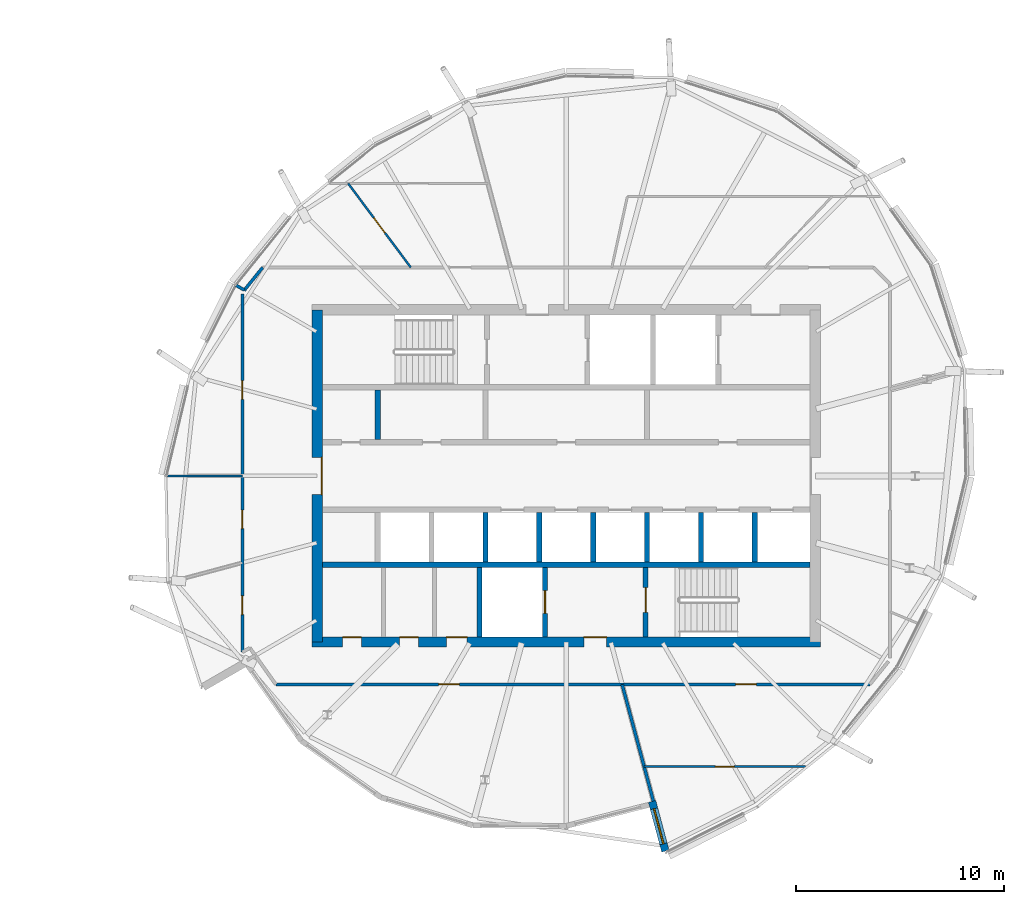
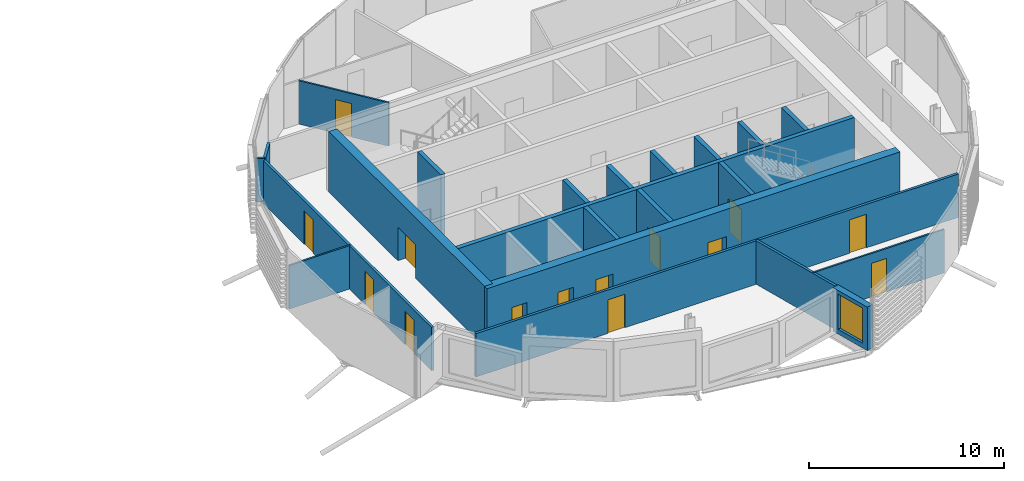
# One storey, part 19 of 33: 22 walls, 14 doors, 1 window, 15 openings.
"""IFC4 building model written with IfcOpenShell, lengths in metres."""

from ifc_helpers import new_model, si_unit, direction, frame, frame_2d, origin, place, context, subcontext, project, spatial, rectangle, extrude, material, layer, layer_set, type_object, element, fill, save


model = new_model("IFC4")

# Units and contexts
model_context = context("Model", 3, precision=1e-05, world=origin(), true_north=direction((0.0, 1.0)))
body_context = subcontext(model_context, "Body", "Model", "MODEL_VIEW")
ifc_project = project(units=[si_unit("LENGTHUNIT", "METRE"), si_unit("AREAUNIT", "SQUARE_METRE"), si_unit("VOLUMEUNIT", "CUBIC_METRE"), si_unit("PLANEANGLEUNIT", "RADIAN"), si_unit("MASSUNIT", "GRAM", prefix="KILO")], contexts=[model_context])

# Site, building, storey
site_placement = place(None, origin())
site = spatial("IfcSite", under=ifc_project, at=site_placement, CompositionType="ELEMENT")
building_placement = place(site_placement, origin())
building = spatial("IfcBuilding", under=site, at=building_placement, Name="Rimbun Link Towers", CompositionType="ELEMENT")
storey_placement = place(building_placement, frame((0.0, 0.0, 237.10009765625)))
storey = spatial("IfcBuildingStorey", under=building, at=storey_placement, Name="L58", CompositionType="ELEMENT", Elevation=237.10009765625)

# Wall, opening, window
ifc_material_1 = material(Name="Dark enamelled glass spandrel on insulated aluminium backpan", Category="aluminium")
ifc_layer_1 = layer(ifc_material_1, 0.3701171875)
ifc_layer_set_1 = layer_set([ifc_layer_1], Name="CS dark enamelled spandrel wall 370")
wall_type_1 = type_object("IfcWallType", Name="CS dark enamelled spandrel wall 370", PredefinedType="STANDARD", material=ifc_layer_set_1)
wall_1_placement = place(storey_placement, frame((36.5263671875, -18.0771484375, 0.0), z_axis=(0.0, 0.0, 1.0), x_axis=(-0.258808255004, 0.965928717423, 0.0)))
wall_1 = element("IfcWall", 1, at=wall_1_placement, inside=storey, type_object=wall_type_1, Name="Crease spandrel wall", PredefinedType="STANDARD", context=body_context, shape_type="SweptSolid", body=[
    extrude(rectangle(XDim=2.47998046875, YDim=0.3701171875, at=frame_2d((1.239990234375, 0.0))), origin(), (0.0, 0.0, 1.0), 2.7314453125),
])
opening_1_placement = place(wall_1_placement, frame((0.364990234375, 0.0, 0.300048828125)))
opening_1 = element("IfcOpeningElement", 2, at=opening_1_placement, cuts=wall_1, Name="Opening WR18H220", PredefinedType="OPENING", context=body_context, shape_type="SweptSolid", body=[
    extrude(rectangle(XDim=1.75, YDim=2.199951171875, at=frame_2d((0.875, 1.10009765625))), frame((0.0, 0.195068359375, 0.0), z_axis=(0.0, -1.0, 0.0), x_axis=(1.0, 0.0, 0.0)), (0.0, 0.0, 1.0), 0.39013671875),
])
ifc_material_2 = material(Name="Aluminium framed fixed window, dark tinted low-e glass", Category="aluminium")
window_type = type_object("IfcWindowType", Name="WR ribbon window 1750X2200", PartitioningType="SINGLE_PANEL", PredefinedType="WINDOW", material=ifc_material_2)
window_placement = place(opening_1_placement, origin())
window = element("IfcWindow", 3, at=window_placement, inside=storey, type_object=window_type, Name="Crease ribbon window", OverallHeight=2.199951171875, OverallWidth=1.75, PartitioningType="SINGLE_PANEL", PredefinedType="WINDOW", context=body_context, shape_type="SweptSolid", body=[
    extrude(rectangle(XDim=1.75, YDim=2.199951171875, at=frame_2d((0.875, 1.10009765625))), frame((0.0, 0.030029296875, 0.0), z_axis=(0.0, -1.0, 0.0), x_axis=(1.0, 0.0, 0.0)), (0.0, 0.0, 1.0), 0.06005859375),
])
fill(opening_1, window)

# Wall, openings, doors
ifc_material_3 = material(Name="Concrete C60/75", Category="concrete")
ifc_layer_2 = layer(ifc_material_3, 0.5)
ifc_layer_set_2 = layer_set([ifc_layer_2], Name="Core shear wall 500")
wall_type_2 = type_object("IfcWallType", Name="Core shear wall 500", PredefinedType="SHEAR", material=ifc_layer_set_2)
wall_2_placement = place(storey_placement, frame((19.5, -8.0, 0.0), z_axis=(0.0, 0.0, 1.0), x_axis=(1.0, 0.0, 0.0)))
wall_2 = element("IfcWall", 4, at=wall_2_placement, inside=storey, type_object=wall_type_2, Name="L58 T2 core wall S", PredefinedType="SHEAR", context=body_context, shape_type="SweptSolid", body=[
    extrude(rectangle(XDim=24.5, YDim=0.5, at=frame_2d((12.25, 0.0))), origin(), (0.0, 0.0, 1.0), 3.7998046875),
])
opening_2_placement = place(wall_2_placement, frame((13.10009765625, 0.0, 0.0)))
opening_2 = element("IfcOpeningElement", 5, at=opening_2_placement, cuts=wall_2, Name="Opening C2DCF01S", PredefinedType="OPENING", context=body_context, shape_type="SweptSolid", body=[
    extrude(rectangle(XDim=1.10009765625, YDim=2.10009765625, at=frame_2d((0.550048828125, 1.050048828125))), frame((0.0, 0.260009765625, 0.0), z_axis=(0.0, -1.0, 0.0), x_axis=(1.0, 0.0, 0.0)), (0.0, 0.0, 1.0), 0.52001953125),
])
opening_3_placement = place(wall_2_placement, frame((1.47509765625, 0.0, 0.0)))
opening_3 = element("IfcOpeningElement", 6, at=opening_3_placement, cuts=wall_2, Name="Opening C2DWC02S", PredefinedType="OPENING", context=body_context, shape_type="SweptSolid", body=[
    extrude(rectangle(XDim=0.89990234375, YDim=2.10009765625, at=frame_2d((0.449951171875, 1.050048828125))), frame((0.0, 0.260009765625, 0.0), z_axis=(0.0, -1.0, 0.0), x_axis=(1.0, 0.0, 0.0)), (0.0, 0.0, 1.0), 0.52001953125),
])
opening_4_placement = place(wall_2_placement, frame((4.22509765625, 0.0, 0.0)))
opening_4 = element("IfcOpeningElement", 7, at=opening_4_placement, cuts=wall_2, Name="Opening C2DWC03S", PredefinedType="OPENING", context=body_context, shape_type="SweptSolid", body=[
    extrude(rectangle(XDim=0.89990234375, YDim=2.10009765625, at=frame_2d((0.449951171875, 1.050048828125))), frame((0.0, 0.260009765625, 0.0), z_axis=(0.0, -1.0, 0.0), x_axis=(1.0, 0.0, 0.0)), (0.0, 0.0, 1.0), 0.52001953125),
])
opening_5_placement = place(wall_2_placement, frame((6.47509765625, 0.0, 0.0)))
opening_5 = element("IfcOpeningElement", 8, at=opening_5_placement, cuts=wall_2, Name="Opening C2DAW04S", PredefinedType="OPENING", context=body_context, shape_type="SweptSolid", body=[
    extrude(rectangle(XDim=1.0, YDim=2.10009765625, at=frame_2d((0.5, 1.050048828125))), frame((0.0, 0.260009765625, 0.0), z_axis=(0.0, -1.0, 0.0), x_axis=(1.0, 0.0, 0.0)), (0.0, 0.0, 1.0), 0.52001953125),
])
ifc_material_4 = material(Name="Timber", Category="wood")
door_type_1 = type_object("IfcDoorType", Name="Accessible WC door", OperationType="SINGLE_SWING_LEFT", PredefinedType="DOOR", material=ifc_material_4)
door_1_placement = place(opening_5_placement, origin())
door_1 = element("IfcDoor", 9, at=door_1_placement, inside=storey, type_object=door_type_1, Name="L58 T2 accessible wc door", OperationType="SINGLE_SWING_RIGHT", OverallHeight=2.10009765625, OverallWidth=1.0, PredefinedType="DOOR", context=body_context, shape_type="SweptSolid", body=[
    extrude(rectangle(XDim=1.0, YDim=2.10009765625, at=frame_2d((0.5, 1.050048828125))), frame((0.0, 0.25, 0.0), z_axis=(0.0, -1.0, 0.0), x_axis=(1.0, 0.0, 0.0)), (0.0, 0.0, 1.0), 0.050048828125),
])
fill(opening_5, door_1)
ifc_material_5 = material(Name="Steel fire door set", Category="steel")
door_type_2 = type_object("IfcDoorType", Name="Core fire door single", OperationType="SINGLE_SWING_LEFT", PredefinedType="DOOR", material=ifc_material_5)
door_2_placement = place(opening_2_placement, origin())
door_2 = element("IfcDoor", 10, at=door_2_placement, inside=storey, type_object=door_type_2, Name="L58 T2 firefighting lobby s door", OperationType="SINGLE_SWING_RIGHT", OverallHeight=2.10009765625, OverallWidth=1.10009765625, PredefinedType="DOOR", context=body_context, shape_type="SweptSolid", body=[
    extrude(rectangle(XDim=1.10009765625, YDim=2.10009765625, at=frame_2d((0.550048828125, 1.050048828125))), frame((0.0, 0.25, 0.0), z_axis=(0.0, -1.0, 0.0), x_axis=(1.0, 0.0, 0.0)), (0.0, 0.0, 1.0), 0.050048828125),
])
fill(opening_2, door_2)
ifc_material_6 = material(Name="Timber", Category="wood")
door_type_3 = type_object("IfcDoorType", Name="WC door", OperationType="SINGLE_SWING_LEFT", PredefinedType="DOOR", material=ifc_material_6)
door_3_placement = place(opening_3_placement, origin())
door_3 = element("IfcDoor", 11, at=door_3_placement, inside=storey, type_object=door_type_3, Name="L58 T2 male wc door", OperationType="SINGLE_SWING_RIGHT", OverallHeight=2.10009765625, OverallWidth=0.89990234375, PredefinedType="DOOR", context=body_context, shape_type="SweptSolid", body=[
    extrude(rectangle(XDim=0.89990234375, YDim=2.10009765625, at=frame_2d((0.449951171875, 1.050048828125))), frame((0.0, 0.25, 0.0), z_axis=(0.0, -1.0, 0.0), x_axis=(1.0, 0.0, 0.0)), (0.0, 0.0, 1.0), 0.050048828125),
])
fill(opening_3, door_3)
door_4_placement = place(opening_4_placement, origin())
door_4 = element("IfcDoor", 12, at=door_4_placement, inside=storey, type_object=door_type_3, Name="L58 T2 female wc door", OperationType="SINGLE_SWING_RIGHT", OverallHeight=2.10009765625, OverallWidth=0.89990234375, PredefinedType="DOOR", context=body_context, shape_type="SweptSolid", body=[
    extrude(rectangle(XDim=0.89990234375, YDim=2.10009765625, at=frame_2d((0.449951171875, 1.050048828125))), frame((0.0, 0.25, 0.0), z_axis=(0.0, -1.0, 0.0), x_axis=(1.0, 0.0, 0.0)), (0.0, 0.0, 1.0), 0.050048828125),
])
fill(opening_4, door_4)

# Wall, opening, door
wall_3_placement = place(storey_placement, frame((19.75, -8.0, 0.0), z_axis=(0.0, 0.0, 1.0), x_axis=(0.0, 1.0, 0.0)))
wall_3 = element("IfcWall", 13, at=wall_3_placement, inside=storey, type_object=wall_type_2, Name="L58 T2 core wall W", PredefinedType="SHEAR", context=body_context, shape_type="SweptSolid", body=[
    extrude(rectangle(XDim=16.0, YDim=0.5, at=frame_2d((8.0, 0.0))), origin(), (0.0, 0.0, 1.0), 3.7998046875),
])
opening_6_placement = place(wall_3_placement, frame((7.10009765625, 0.0, 0.0)))
opening_6 = element("IfcOpeningElement", 14, at=opening_6_placement, cuts=wall_3, Name="Opening C2DCL01W", PredefinedType="OPENING", context=body_context, shape_type="SweptSolid", body=[
    extrude(rectangle(XDim=1.800048828125, YDim=2.10009765625, at=frame_2d((0.89990234375, 1.050048828125))), frame((0.0, 0.260009765625, 0.0), z_axis=(0.0, -1.0, 0.0), x_axis=(1.0, 0.0, 0.0)), (0.0, 0.0, 1.0), 0.52001953125),
])
ifc_material_7 = material(Name="Steel fire door set", Category="steel")
door_type_4 = type_object("IfcDoorType", Name="Core lobby door double", OperationType="DOUBLE_DOOR_SINGLE_SWING", PredefinedType="DOOR", material=ifc_material_7)
door_5_placement = place(opening_6_placement, origin())
door_5 = element("IfcDoor", 15, at=door_5_placement, inside=storey, type_object=door_type_4, Name="L58 T2 lift lobby door", OperationType="DOUBLE_DOOR_SINGLE_SWING", OverallHeight=2.10009765625, OverallWidth=1.800048828125, PredefinedType="DOOR", context=body_context, shape_type="SweptSolid", body=[
    extrude(rectangle(XDim=1.800048828125, YDim=2.10009765625, at=frame_2d((0.89990234375, 1.050048828125))), frame((0.0, -0.2001953125, 0.0), z_axis=(0.0, -1.0, 0.0), x_axis=(1.0, 0.0, 0.0)), (0.0, 0.0, 1.0), 0.050048828125),
])
fill(opening_6, door_5)

# Wall, openings, doors
ifc_material_8 = material(Name="Plasterboard on steel stud, mineral wool", Category="steel")
ifc_layer_3 = layer(ifc_material_8, 0.14990234375)
ifc_layer_set_3 = layer_set([ifc_layer_3], Name="Corridor wall EI 30 150 mm")
wall_type_3 = type_object("IfcWallType", Name="Corridor wall EI 30 150 mm", PredefinedType="PARTITIONING", material=ifc_layer_set_3)
wall_4_placement = place(storey_placement, frame((46.37353515625, -10.044921875, 0.0), z_axis=(0.0, 0.0, 1.0), x_axis=(-1.0, 0.0, 0.0)))
wall_4 = element("IfcWall", 16, at=wall_4_placement, inside=storey, type_object=wall_type_3, Name="Corridor wall EI 30 150 mm", PredefinedType="PARTITIONING", context=body_context, shape_type="SweptSolid", body=[
    extrude(rectangle(XDim=28.615966796875, YDim=0.14990234375, at=frame_2d((14.30810546875, 0.0))), origin(), (0.0, 0.0, 1.0), 2.721923828125),
])
opening_7_placement = place(wall_4_placement, frame((5.466064453125, 0.0, 0.0)))
opening_7 = element("IfcOpeningElement", 17, at=opening_7_placement, cuts=wall_4, Name="Opening D01", PredefinedType="OPENING", context=body_context, shape_type="SweptSolid", body=[
    extrude(rectangle(XDim=1.0, YDim=2.10009765625, at=frame_2d((0.5, 1.050048828125))), frame((0.0, 0.0849609375, 0.0), z_axis=(0.0, -1.0, 0.0), x_axis=(1.0, 0.0, 0.0)), (0.0, 0.0, 1.0), 0.169921875),
])
opening_8_placement = place(wall_4_placement, frame((19.77392578125, 0.0, 0.0)))
opening_8 = element("IfcOpeningElement", 18, at=opening_8_placement, cuts=wall_4, Name="Opening D01", PredefinedType="OPENING", context=body_context, shape_type="SweptSolid", body=[
    extrude(rectangle(XDim=1.0, YDim=2.10009765625, at=frame_2d((0.5, 1.050048828125))), frame((0.0, 0.0849609375, 0.0), z_axis=(0.0, -1.0, 0.0), x_axis=(1.0, 0.0, 0.0)), (0.0, 0.0, 1.0), 0.169921875),
])
ifc_material_9 = material(Name="Fire-resisting timber door leaf", Category="wood")
door_type_5 = type_object("IfcDoorType", Name="Fire door FD30S 1000", OperationType="NOTDEFINED", PredefinedType="DOOR", material=ifc_material_9)
door_6_placement = place(opening_7_placement, origin())
door_6 = element("IfcDoor", 19, at=door_6_placement, inside=storey, type_object=door_type_5, Name="Fire door FD30S 1000 to Reception", OperationType="SINGLE_SWING_LEFT", OverallHeight=2.10009765625, OverallWidth=1.0, PredefinedType="DOOR", context=body_context, shape_type="SweptSolid", body=[
    extrude(rectangle(XDim=1.0, YDim=2.10009765625, at=frame_2d((0.5, 1.050048828125))), frame((0.0, 0.02490234375, 0.0), z_axis=(0.0, -1.0, 0.0), x_axis=(1.0, 0.0, 0.0)), (0.0, 0.0, 1.0), 0.050048828125),
])
fill(opening_7, door_6)
door_7_placement = place(opening_8_placement, origin())
door_7 = element("IfcDoor", 20, at=door_7_placement, inside=storey, type_object=door_type_5, Name="Fire door FD30S 1000 to Terrace office", OperationType="SINGLE_SWING_LEFT", OverallHeight=2.10009765625, OverallWidth=1.0, PredefinedType="DOOR", context=body_context, shape_type="SweptSolid", body=[
    extrude(rectangle(XDim=1.0, YDim=2.10009765625, at=frame_2d((0.5, 1.050048828125))), frame((0.0, 0.02490234375, 0.0), z_axis=(0.0, -1.0, 0.0), x_axis=(1.0, 0.0, 0.0)), (0.0, 0.0, 1.0), 0.050048828125),
])
fill(opening_8, door_7)

wall_5_placement = place(storey_placement, frame((16.14501953125, -8.489990234375, 0.0), z_axis=(0.0, 0.0, 1.0), x_axis=(0.0, 1.0, 0.0)))
wall_5 = element("IfcWall", 21, at=wall_5_placement, inside=storey, type_object=wall_type_3, Name="Corridor wall EI 30 150 mm", PredefinedType="PARTITIONING", context=body_context, shape_type="SweptSolid", body=[
    extrude(rectangle(XDim=17.259521484375, YDim=0.14990234375, at=frame_2d((8.6298828125, 0.0))), origin(), (0.0, 0.0, 1.0), 2.721923828125),
])
opening_9_placement = place(wall_5_placement, frame((12.179931640625, 0.0, 0.0)))
opening_9 = element("IfcOpeningElement", 22, at=opening_9_placement, cuts=wall_5, Name="Opening D02", PredefinedType="OPENING", context=body_context, shape_type="SweptSolid", body=[
    extrude(rectangle(XDim=0.89990234375, YDim=2.10009765625, at=frame_2d((0.449951171875, 1.050048828125))), frame((0.0, 0.0849609375, 0.0), z_axis=(0.0, -1.0, 0.0), x_axis=(1.0, 0.0, 0.0)), (0.0, 0.0, 1.0), 0.169921875),
])
opening_10_placement = place(wall_5_placement, frame((5.94921875, 0.0, 0.0)))
opening_10 = element("IfcOpeningElement", 23, at=opening_10_placement, cuts=wall_5, Name="Opening D02", PredefinedType="OPENING", context=body_context, shape_type="SweptSolid", body=[
    extrude(rectangle(XDim=0.89990234375, YDim=2.10009765625, at=frame_2d((0.449951171875, 1.050048828125))), frame((0.0, 0.0849609375, 0.0), z_axis=(0.0, -1.0, 0.0), x_axis=(1.0, 0.0, 0.0)), (0.0, 0.0, 1.0), 0.169921875),
])
opening_11_placement = place(wall_5_placement, frame((1.80908203125, 0.0, 0.0)))
opening_11 = element("IfcOpeningElement", 24, at=opening_11_placement, cuts=wall_5, Name="Opening D02", PredefinedType="OPENING", context=body_context, shape_type="SweptSolid", body=[
    extrude(rectangle(XDim=0.89990234375, YDim=2.10009765625, at=frame_2d((0.449951171875, 1.050048828125))), frame((0.0, 0.0849609375, 0.0), z_axis=(0.0, -1.0, 0.0), x_axis=(1.0, 0.0, 0.0)), (0.0, 0.0, 1.0), 0.169921875),
])
ifc_material_10 = material(Name="Fire-resisting timber door leaf", Category="wood")
door_type_6 = type_object("IfcDoorType", Name="Fire door FD30S 900", OperationType="NOTDEFINED", PredefinedType="DOOR", material=ifc_material_10)
door_8_placement = place(opening_9_placement, origin())
door_8 = element("IfcDoor", 25, at=door_8_placement, inside=storey, type_object=door_type_6, Name="Fire door FD30S 900 to Meeting room", OperationType="SINGLE_SWING_RIGHT", OverallHeight=2.10009765625, OverallWidth=0.89990234375, PredefinedType="DOOR", context=body_context, shape_type="SweptSolid", body=[
    extrude(rectangle(XDim=0.89990234375, YDim=2.10009765625, at=frame_2d((0.449951171875, 1.050048828125))), frame((0.0, 0.02490234375, 0.0), z_axis=(0.0, -1.0, 0.0), x_axis=(1.0, 0.0, 0.0)), (0.0, 0.0, 1.0), 0.050048828125),
])
fill(opening_9, door_8)
door_9_placement = place(opening_10_placement, origin())
door_9 = element("IfcDoor", 26, at=door_9_placement, inside=storey, type_object=door_type_6, Name="Fire door FD30S 900 to Executive office", OperationType="SINGLE_SWING_LEFT", OverallHeight=2.10009765625, OverallWidth=0.89990234375, PredefinedType="DOOR", context=body_context, shape_type="SweptSolid", body=[
    extrude(rectangle(XDim=0.89990234375, YDim=2.10009765625, at=frame_2d((0.449951171875, 1.050048828125))), frame((0.0, 0.02490234375, 0.0), z_axis=(0.0, -1.0, 0.0), x_axis=(1.0, 0.0, 0.0)), (0.0, 0.0, 1.0), 0.050048828125),
])
fill(opening_10, door_9)
door_10_placement = place(opening_11_placement, origin())
door_10 = element("IfcDoor", 27, at=door_10_placement, inside=storey, type_object=door_type_6, Name="Fire door FD30S 900 to Open office", OperationType="SINGLE_SWING_RIGHT", OverallHeight=2.10009765625, OverallWidth=0.89990234375, PredefinedType="DOOR", context=body_context, shape_type="SweptSolid", body=[
    extrude(rectangle(XDim=0.89990234375, YDim=2.10009765625, at=frame_2d((0.449951171875, 1.050048828125))), frame((0.0, 0.02490234375, 0.0), z_axis=(0.0, -1.0, 0.0), x_axis=(1.0, 0.0, 0.0)), (0.0, 0.0, 1.0), 0.050048828125),
])
fill(opening_11, door_10)

# Wall
wall_6_placement = place(storey_placement, frame((17.12646484375, 10.044921875, 0.0), z_axis=(0.0, 0.0, 1.0), x_axis=(-0.629149019121, -0.777284704428, 0.0)))
element("IfcWall", 28, at=wall_6_placement, inside=storey, type_object=wall_type_3, Name="Corridor wall EI 30 150 mm", PredefinedType="PARTITIONING", context=body_context, shape_type="SweptSolid", body=[
    extrude(rectangle(XDim=1.42724609375, YDim=0.14990234375, at=frame_2d((0.713623046875, 0.0))), origin(), (0.0, 0.0, 1.0), 2.721923828125),
])

# Wall, opening, door
ifc_material_11 = material(Name="Plasterboard on steel stud", Category="steel")
ifc_layer_4 = layer(ifc_material_11, 0.10009765625)
ifc_layer_set_4 = layer_set([ifc_layer_4], Name="Plasterboard partition 100 mm")
wall_type_4 = type_object("IfcWallType", Name="Plasterboard partition 100 mm", PredefinedType="PARTITIONING", material=ifc_layer_set_4)
wall_7_placement = place(storey_placement, frame((43.2744140625, -14.0048828125, 0.0), z_axis=(0.0, 0.0, 1.0), x_axis=(-1.0, 0.0, 0.0)))
wall_7 = element("IfcWall", 29, at=wall_7_placement, inside=storey, type_object=wall_type_4, Name="Plasterboard partition 100 mm", PredefinedType="PARTITIONING", context=body_context, shape_type="SweptSolid", body=[
    extrude(rectangle(XDim=7.771728515625, YDim=0.10009765625, at=frame_2d((3.8857421875, 0.0))), origin(), (0.0, 0.0, 1.0), 2.721923828125),
])
opening_12_placement = place(wall_7_placement, frame((3.435791015625, 0.0, 0.0)))
opening_12 = element("IfcOpeningElement", 30, at=opening_12_placement, cuts=wall_7, Name="Opening D04", PredefinedType="OPENING", context=body_context, shape_type="SweptSolid", body=[
    extrude(rectangle(XDim=0.89990234375, YDim=2.10009765625, at=frame_2d((0.449951171875, 1.050048828125))), frame((0.0, 0.06005859375, 0.0), z_axis=(0.0, -1.0, 0.0), x_axis=(1.0, 0.0, 0.0)), (0.0, 0.0, 1.0), 0.1201171875),
])
ifc_material_12 = material(Name="Timber door leaf", Category="wood")
door_type_7 = type_object("IfcDoorType", Name="Flush door 900", OperationType="NOTDEFINED", PredefinedType="DOOR", material=ifc_material_12)
door_11_placement = place(opening_12_placement, origin())
door_11 = element("IfcDoor", 31, at=door_11_placement, inside=storey, type_object=door_type_7, Name="Flush door 900 to Executive office", OperationType="SINGLE_SWING_RIGHT", OverallHeight=2.10009765625, OverallWidth=0.89990234375, PredefinedType="DOOR", context=body_context, shape_type="SweptSolid", body=[
    extrude(rectangle(XDim=0.89990234375, YDim=2.10009765625, at=frame_2d((0.449951171875, 1.050048828125))), frame((0.0, 0.02490234375, 0.0), z_axis=(0.0, -1.0, 0.0), x_axis=(1.0, 0.0, 0.0)), (0.0, 0.0, 1.0), 0.050048828125),
])
fill(opening_12, door_11)

wall_8_placement = place(storey_placement, frame((24.259765625, 10.044921875, 0.0), z_axis=(0.0, 0.0, 1.0), x_axis=(-0.59774755596, 0.801684388861, 0.0)))
wall_8 = element("IfcWall", 32, at=wall_8_placement, inside=storey, type_object=wall_type_4, Name="Plasterboard partition 100 mm", PredefinedType="PARTITIONING", context=body_context, shape_type="SweptSolid", body=[
    extrude(rectangle(XDim=5.052001953125, YDim=0.10009765625, at=frame_2d((2.52587890625, 0.0))), origin(), (0.0, 0.0, 1.0), 2.721923828125),
])
opening_13_placement = place(wall_8_placement, frame((2.075927734375, 0.0, 0.0)))
opening_13 = element("IfcOpeningElement", 33, at=opening_13_placement, cuts=wall_8, Name="Opening D04", PredefinedType="OPENING", context=body_context, shape_type="SweptSolid", body=[
    extrude(rectangle(XDim=0.89990234375, YDim=2.10009765625, at=frame_2d((0.449951171875, 1.050048828125))), frame((0.0, 0.06005859375, 0.0), z_axis=(0.0, -1.0, 0.0), x_axis=(1.0, 0.0, 0.0)), (0.0, 0.0, 1.0), 0.1201171875),
])
door_12_placement = place(opening_13_placement, origin())
door_12 = element("IfcDoor", 34, at=door_12_placement, inside=storey, type_object=door_type_7, Name="Flush door 900 to Pantry", OperationType="SINGLE_SWING_LEFT", OverallHeight=2.10009765625, OverallWidth=0.89990234375, PredefinedType="DOOR", context=body_context, shape_type="SweptSolid", body=[
    extrude(rectangle(XDim=0.89990234375, YDim=2.10009765625, at=frame_2d((0.449951171875, 1.050048828125))), frame((0.0, 0.02490234375, 0.0), z_axis=(0.0, -1.0, 0.0), x_axis=(1.0, 0.0, 0.0)), (0.0, 0.0, 1.0), 0.050048828125),
])
fill(opening_13, door_12)

# Walls
wall_9_placement = place(storey_placement, frame((12.51171875, 0.0, 0.0), z_axis=(0.0, 0.0, 1.0), x_axis=(1.0, 0.0, 0.0)))
element("IfcWall", 35, at=wall_9_placement, inside=storey, type_object=wall_type_4, Name="Plasterboard partition 100 mm", PredefinedType="PARTITIONING", context=body_context, shape_type="SweptSolid", body=[
    extrude(rectangle(XDim=3.63330078125, YDim=0.10009765625, at=frame_2d((1.816650390625, 0.0))), origin(), (0.0, 0.0, 1.0), 2.721923828125),
])
ifc_material_13 = material(Name="Concrete C60/75", Category="concrete")
ifc_layer_5 = layer(ifc_material_13, 0.25)
ifc_layer_set_5 = layer_set([ifc_layer_5], Name="Shaft wall 250")
wall_type_5 = type_object("IfcWallType", Name="Shaft wall 250", PredefinedType="SHEAR", material=ifc_layer_set_5)
wall_10_placement = place(storey_placement, frame((20.0, -4.27490234375, 0.0), z_axis=(0.0, 0.0, 1.0), x_axis=(1.0, 0.0, 0.0)))
element("IfcWall", 36, at=wall_10_placement, inside=storey, type_object=wall_type_5, Name="L58 T2 core wall BS", PredefinedType="SHEAR", context=body_context, shape_type="SweptSolid", body=[
    extrude(rectangle(XDim=23.5, YDim=0.25, at=frame_2d((11.75, 0.0))), origin(), (0.0, 0.0, 1.0), 3.7998046875),
])
for number, where, z_axis, x_axis, name in (
    (37, (22.66943359375, 1.75, 0.0), (0.0, 0.0, 1.0), (0.0, 1.0, 0.0), "L58 T2 core wall DN0"),
    (38, (27.8583984375, -4.14990234375, 0.0), (0.0, 0.0, 1.0), (0.0, 1.0, 0.0), "L58 T2 core wall DS2"),
    (39, (30.452880859375, -4.14990234375, 0.0), (0.0, 0.0, 1.0), (0.0, 1.0, 0.0), "L58 T2 core wall DS3"),
    (40, (33.047119140625, -4.14990234375, 0.0), (0.0, 0.0, 1.0), (0.0, 1.0, 0.0), "L58 T2 core wall DS4"),
    (41, (35.6416015625, -4.14990234375, 0.0), (0.0, 0.0, 1.0), (0.0, 1.0, 0.0), "L58 T2 core wall DS5"),
    (42, (38.236083984375, -4.14990234375, 0.0), (0.0, 0.0, 1.0), (0.0, 1.0, 0.0), "L58 T2 core wall DS6"),
    (43, (40.83056640625, -4.14990234375, 0.0), (0.0, 0.0, 1.0), (0.0, 1.0, 0.0), "L58 T2 core wall DS7"),
):
    element("IfcWall", number, at=place(storey_placement, frame(where, z_axis=z_axis, x_axis=x_axis)), inside=storey, type_object=wall_type_5, Name=name, PredefinedType="SHEAR", context=body_context, shape_type="SweptSolid", body=[
        extrude(rectangle(XDim=2.39990234375, YDim=0.25, at=frame_2d((1.199951171875, 0.0))), origin(), (0.0, 0.0, 1.0), 3.7998046875),
    ])

# Wall, opening, door
wall_11_placement = place(storey_placement, frame((35.574951171875, -4.39990234375, 0.0), z_axis=(0.0, 0.0, 1.0), x_axis=(0.0, -1.0, 0.0)))
wall_11 = element("IfcWall", 44, at=wall_11_placement, inside=storey, type_object=wall_type_5, Name="L58 T2 core wall B1", PredefinedType="SHEAR", context=body_context, shape_type="SweptSolid", body=[
    extrude(rectangle(XDim=3.35009765625, YDim=0.25, at=frame_2d((1.675048828125, 0.0))), origin(), (0.0, 0.0, 1.0), 3.7998046875),
])
opening_14_placement = place(wall_11_placement, frame((0.97509765625, 0.0, 0.0)))
opening_14 = element("IfcOpeningElement", 45, at=opening_14_placement, cuts=wall_11, Name="Opening C2DST01B1", PredefinedType="OPENING", context=body_context, shape_type="SweptSolid", body=[
    extrude(rectangle(XDim=1.199951171875, YDim=2.10009765625, at=frame_2d((0.60009765625, 1.050048828125))), frame((0.0, 0.135009765625, 0.0), z_axis=(0.0, -1.0, 0.0), x_axis=(1.0, 0.0, 0.0)), (0.0, 0.0, 1.0), 0.27001953125),
])
ifc_material_14 = material(Name="Steel fire door set", Category="steel")
door_type_8 = type_object("IfcDoorType", Name="Stair door", OperationType="SINGLE_SWING_LEFT", PredefinedType="DOOR", material=ifc_material_14)
door_13_placement = place(opening_14_placement, origin())
door_13 = element("IfcDoor", 46, at=door_13_placement, inside=storey, type_object=door_type_8, Name="L58 T2 stair b door", OperationType="SINGLE_SWING_LEFT", OverallHeight=2.10009765625, OverallWidth=1.199951171875, PredefinedType="DOOR", context=body_context, shape_type="SweptSolid", body=[
    extrude(rectangle(XDim=1.199951171875, YDim=2.10009765625, at=frame_2d((0.60009765625, 1.050048828125))), frame((0.0, 0.02490234375, 0.0), z_axis=(0.0, -1.0, 0.0), x_axis=(1.0, 0.0, 0.0)), (0.0, 0.0, 1.0), 0.050048828125),
])
fill(opening_14, door_13)

wall_12_placement = place(storey_placement, frame((30.72509765625, -4.39990234375, 0.0), z_axis=(0.0, 0.0, 1.0), x_axis=(0.0, -1.0, 0.0)))
wall_12 = element("IfcWall", 47, at=wall_12_placement, inside=storey, type_object=wall_type_5, Name="L58 T2 core wall B2", PredefinedType="SHEAR", context=body_context, shape_type="SweptSolid", body=[
    extrude(rectangle(XDim=3.35009765625, YDim=0.25, at=frame_2d((1.675048828125, 0.0))), origin(), (0.0, 0.0, 1.0), 3.7998046875),
])
opening_15_placement = place(wall_12_placement, frame((1.125, 0.0, 0.0)))
opening_15 = element("IfcOpeningElement", 48, at=opening_15_placement, cuts=wall_12, Name="Opening LD-T2-FF2", PredefinedType="OPENING", context=body_context, shape_type="SweptSolid", body=[
    extrude(rectangle(XDim=1.10009765625, YDim=2.10009765625, at=frame_2d((0.550048828125, 1.050048828125))), frame((0.0, 0.135009765625, 0.0), z_axis=(0.0, -1.0, 0.0), x_axis=(1.0, 0.0, 0.0)), (0.0, 0.0, 1.0), 0.27001953125),
])
ifc_material_15 = material(Name="Stainless steel grade 316", Category="steel")
door_type_9 = type_object("IfcDoorType", Name="Lift landing door", OperationType="DOUBLE_DOOR_SLIDING", PredefinedType="DOOR", material=ifc_material_15)
door_14_placement = place(opening_15_placement, origin())
door_14 = element("IfcDoor", 49, at=door_14_placement, inside=storey, type_object=door_type_9, Name="L58 T2 lift FF2 landing door", OperationType="DOUBLE_DOOR_SLIDING", OverallHeight=2.10009765625, OverallWidth=1.10009765625, PredefinedType="DOOR", context=body_context, shape_type="SweptSolid", body=[
    extrude(rectangle(XDim=1.10009765625, YDim=2.10009765625, at=frame_2d((0.550048828125, 1.050048828125))), frame((0.0, 0.02490234375, 0.0), z_axis=(0.0, -1.0, 0.0), x_axis=(1.0, 0.0, 0.0)), (0.0, 0.0, 1.0), 0.050048828125),
])
fill(opening_15, door_14)

# Walls
wall_13_placement = place(storey_placement, frame((27.574951171875, -4.39990234375, 0.0), z_axis=(0.0, 0.0, 1.0), x_axis=(0.0, -1.0, 0.0)))
element("IfcWall", 50, at=wall_13_placement, inside=storey, type_object=wall_type_5, Name="L58 T2 core wall B3", PredefinedType="SHEAR", context=body_context, shape_type="SweptSolid", body=[
    extrude(rectangle(XDim=3.35009765625, YDim=0.25, at=frame_2d((1.675048828125, 0.0))), origin(), (0.0, 0.0, 1.0), 3.7998046875),
])
ifc_material_16 = material(Name="Plasterboard on steel stud, mineral wool", Category="steel")
ifc_layer_6 = layer(ifc_material_16, 0.14990234375)
ifc_layer_set_6 = layer_set([ifc_layer_6], Name="Tenancy separation wall EI 60 150 mm")
wall_type_6 = type_object("IfcWallType", Name="Tenancy separation wall EI 60 150 mm", PredefinedType="PARTITIONING", material=ifc_layer_set_6)
wall_14_placement = place(storey_placement, frame((16.24267578125, 8.953125, 0.0), z_axis=(0.0, 0.0, 1.0), x_axis=(-0.8660249478, 0.500000789788, 0.0)))
element("IfcWall", 51, at=wall_14_placement, inside=storey, type_object=wall_type_6, Name="Tenancy separation wall EI 60 150 mm", PredefinedType="PARTITIONING", context=body_context, shape_type="SweptSolid", body=[
    extrude(rectangle(XDim=0.45556640625, YDim=0.14990234375, at=frame_2d((0.227783203125, 0.0))), origin(), (0.0, 0.0, 1.0), 2.721923828125),
])
wall_15_placement = place(storey_placement, frame((34.44140625, -10.044921875, 0.0), z_axis=(0.0, 0.0, 1.0), x_axis=(0.258861231305, -0.965914521543, 0.0)))
element("IfcWall", 52, at=wall_15_placement, inside=storey, type_object=wall_type_6, Name="Tenancy separation wall EI 60 150 mm", PredefinedType="PARTITIONING", context=body_context, shape_type="SweptSolid", body=[
    extrude(rectangle(XDim=5.818115234375, YDim=0.14990234375, at=frame_2d((2.9091796875, 0.0))), origin(), (0.0, 0.0, 1.0), 2.721923828125),
])

save(model, "model.ifc")
